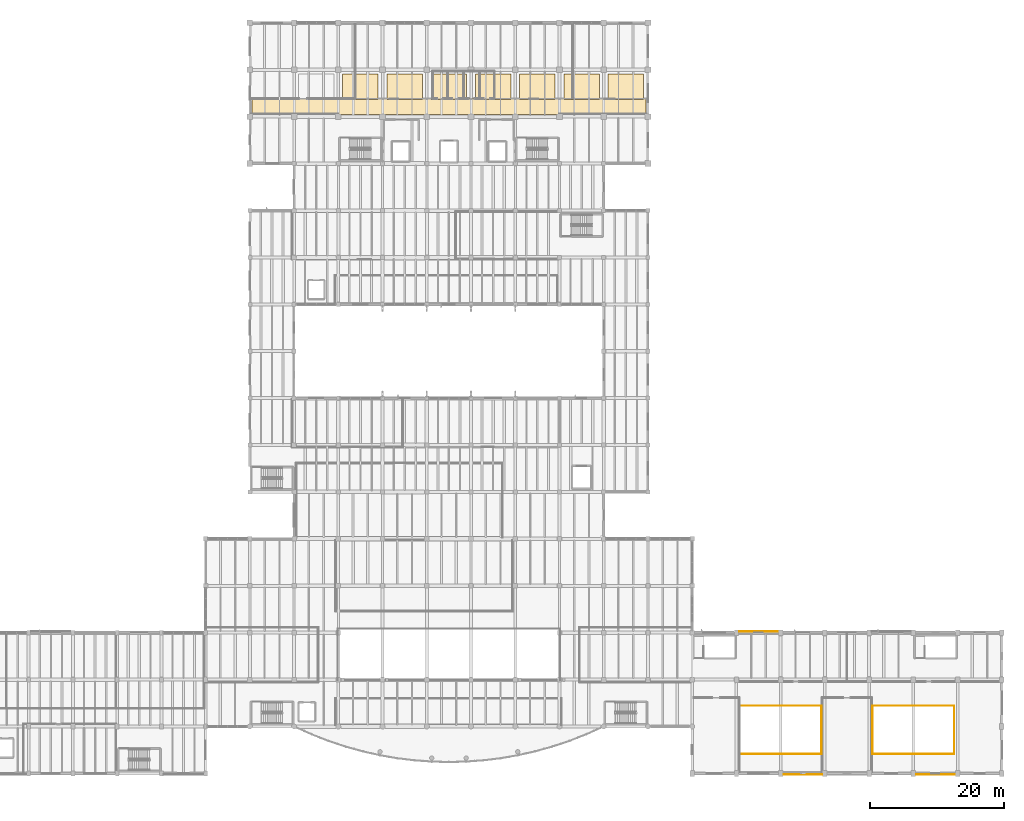
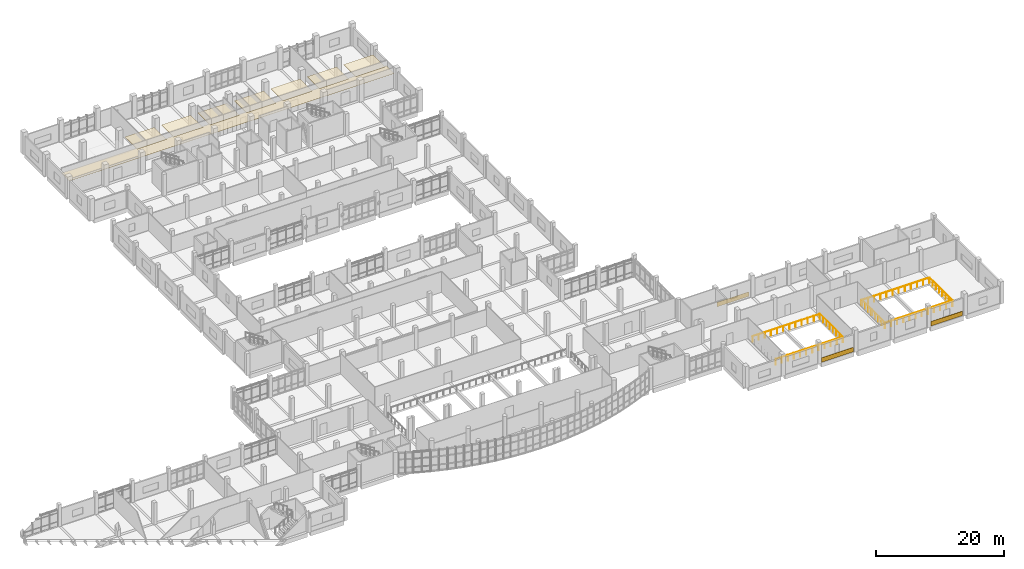
# One storey, part 67 of 68: 11 coverings, 7 railings.
"""IFC4 building model written with IfcOpenShell, lengths in metres."""

from ifc_helpers import new_model, si_unit, direction, frame, origin, origin_2d, place, context, subcontext, project, spatial, polyline, rectangle, circle, outline, extrude, material, layer, layer_set, type_object, element, save


model = new_model("IFC4")

# Units and contexts
model_context = context("Model", 3, precision=1e-05, world=origin(), true_north=direction((0.0, 1.0)))
body_context = subcontext(model_context, "Body", "Model", "MODEL_VIEW")
ifc_project = project(units=[si_unit("LENGTHUNIT", "METRE"), si_unit("AREAUNIT", "SQUARE_METRE"), si_unit("VOLUMEUNIT", "CUBIC_METRE"), si_unit("PLANEANGLEUNIT", "RADIAN"), si_unit("MASSUNIT", "GRAM", prefix="KILO")], contexts=[model_context])

# Site, building, storey
site_placement = place(None, origin())
site = spatial("IfcSite", under=ifc_project, at=site_placement, CompositionType="ELEMENT")
building_placement = place(site_placement, origin())
building = spatial("IfcBuilding", under=site, at=building_placement, Name="Ciguamira Faculty of Natural Sciences", CompositionType="ELEMENT")
storey_placement = place(building_placement, frame((0.0, 0.0, 4.199951171875)))
storey = spatial("IfcBuildingStorey", under=building, at=storey_placement, Name="L01", CompositionType="ELEMENT", Elevation=4.199951171875)

# Coverings
ifc_material_1 = material(Name="Perforated white acoustic ceiling")
ifc_layer_1 = layer(ifc_material_1, 0.0400390625, Name="Perforated white acoustic ceiling")
ifc_layer_set_1 = layer_set([ifc_layer_1], Name="Perforated white acoustic ceiling")
covering_type_1 = type_object("IfcCoveringType", Name="AcousticCeiling_AC01", PredefinedType="CEILING", material=ifc_layer_set_1)
covering_1_placement = place(storey_placement, frame((0.0, 0.0, 2.760009765625)))
element("IfcCovering", 1, at=covering_1_placement, inside=storey, type_object=covering_type_1, Name="L01 corridor acoustic ceiling", PredefinedType="CEILING", context=body_context, shape_type="SweptSolid", body=[
    extrude(outline(polyline([(57.60009765625, 101.300048828125), (116.39990234375, 101.300048828125), (116.39990234375, 103.800048828125), (57.60009765625, 103.800048828125), (57.60009765625, 101.300048828125)])), origin(), (0.0, 0.0, 1.0), 0.0400390625),
])
covering_2_placement = place(storey_placement, frame((0.0, 0.0, 2.760009765625)))
element("IfcCovering", 2, at=covering_2_placement, inside=storey, type_object=covering_type_1, Name="L01 research bay 02 acoustic ceiling", PredefinedType="CEILING", context=body_context, shape_type="SweptSolid", body=[
    extrude(outline(polyline([(71.14990234375, 103.550048828125), (76.449951171875, 103.550048828125), (76.449951171875, 107.35009765625), (71.14990234375, 107.35009765625), (71.14990234375, 103.550048828125)])), origin(), (0.0, 0.0, 1.0), 0.0400390625),
])
covering_3_placement = place(storey_placement, frame((0.0, 0.0, 2.760009765625)))
element("IfcCovering", 3, at=covering_3_placement, inside=storey, type_object=covering_type_1, Name="L01 research bay 03 acoustic ceiling", PredefinedType="CEILING", context=body_context, shape_type="SweptSolid", body=[
    extrude(outline(polyline([(77.75, 103.550048828125), (83.050048828125, 103.550048828125), (83.050048828125, 107.35009765625), (77.75, 107.35009765625), (77.75, 103.550048828125)])), origin(), (0.0, 0.0, 1.0), 0.0400390625),
])
covering_4_placement = place(storey_placement, frame((0.0, 0.0, 2.760009765625)))
element("IfcCovering", 4, at=covering_4_placement, inside=storey, type_object=covering_type_1, Name="L01 research bay 04 acoustic ceiling", PredefinedType="CEILING", context=body_context, shape_type="SweptSolid", body=[
    extrude(outline(polyline([(84.35009765625, 103.550048828125), (89.64990234375, 103.550048828125), (89.64990234375, 107.35009765625), (84.35009765625, 107.35009765625), (84.35009765625, 103.550048828125)])), origin(), (0.0, 0.0, 1.0), 0.0400390625),
])
covering_5_placement = place(storey_placement, frame((0.0, 0.0, 2.760009765625)))
element("IfcCovering", 5, at=covering_5_placement, inside=storey, type_object=covering_type_1, Name="L01 research bay 05 acoustic ceiling", PredefinedType="CEILING", context=body_context, shape_type="SweptSolid", body=[
    extrude(outline(polyline([(90.949951171875, 103.550048828125), (96.25, 103.550048828125), (96.25, 107.35009765625), (90.949951171875, 107.35009765625), (90.949951171875, 103.550048828125)])), origin(), (0.0, 0.0, 1.0), 0.0400390625),
])
covering_6_placement = place(storey_placement, frame((0.0, 0.0, 2.760009765625)))
element("IfcCovering", 6, at=covering_6_placement, inside=storey, type_object=covering_type_1, Name="L01 research bay 06 acoustic ceiling", PredefinedType="CEILING", context=body_context, shape_type="SweptSolid", body=[
    extrude(outline(polyline([(97.550048828125, 103.550048828125), (102.85009765625, 103.550048828125), (102.85009765625, 107.35009765625), (97.550048828125, 107.35009765625), (97.550048828125, 103.550048828125)])), origin(), (0.0, 0.0, 1.0), 0.0400390625),
])
covering_7_placement = place(storey_placement, frame((0.0, 0.0, 2.760009765625)))
element("IfcCovering", 7, at=covering_7_placement, inside=storey, type_object=covering_type_1, Name="L01 research bay 07 acoustic ceiling", PredefinedType="CEILING", context=body_context, shape_type="SweptSolid", body=[
    extrude(outline(polyline([(104.14990234375, 103.550048828125), (109.449951171875, 103.550048828125), (109.449951171875, 107.35009765625), (104.14990234375, 107.35009765625), (104.14990234375, 103.550048828125)])), origin(), (0.0, 0.0, 1.0), 0.0400390625),
])
covering_8_placement = place(storey_placement, frame((0.0, 0.0, 2.760009765625)))
element("IfcCovering", 8, at=covering_8_placement, inside=storey, type_object=covering_type_1, Name="L01 research bay 08 acoustic ceiling", PredefinedType="CEILING", context=body_context, shape_type="SweptSolid", body=[
    extrude(outline(polyline([(110.75, 103.550048828125), (116.050048828125, 103.550048828125), (116.050048828125, 107.35009765625), (110.75, 107.35009765625), (110.75, 103.550048828125)])), origin(), (0.0, 0.0, 1.0), 0.0400390625),
])
ifc_material_2 = material(Name="Precast concrete C40/50", Category="concrete")
ifc_layer_2 = layer(ifc_material_2, 0.050048828125, Name="Precast concrete C40/50")
ifc_layer_set_2 = layer_set([ifc_layer_2], Name="Precast concrete C40/50")
covering_type_2 = type_object("IfcCoveringType", Name="Cladding_CL01", PredefinedType="CLADDING", material=ifc_layer_set_2)
for number, where, z_axis, x_axis, name in (
    (9, (139.800048828125, 2.8359375, 0.02490234375), (0.0, 0.0, 1.0), (1.0, 0.0, 0.0), "L01 precast concrete spandrel cladding 010"),
    (10, (159.60009765625, 2.8359375, 0.02490234375), (0.0, 0.0, 1.0), (1.0, 0.0, 0.0), "L01 precast concrete spandrel cladding 011"),
    (11, (133.199951171875, 24.1640625, 0.02490234375), (0.0, 0.0, 1.0), (1.0, 0.0, 0.0), "L01 precast concrete spandrel cladding 013"),
):
    element("IfcCovering", number, at=place(storey_placement, frame(where, z_axis=z_axis, x_axis=x_axis)), inside=storey, type_object=covering_type_2, Name=name, PredefinedType="CLADDING", context=body_context, shape_type="SweptSolid", body=[
        extrude(rectangle(XDim=5.75, YDim=0.050048828125, at=origin_2d()), origin(), (0.0, 0.0, 1.0), 0.85009765625),
    ])

# Railings
ifc_material_3 = material(Name="Stainless steel balustrade", Category="steel")
railing_type = type_object("IfcRailingType", Name="Guardrail_GR01", PredefinedType="GUARDRAIL", material=ifc_material_3)
for number, where, name in (
    (12, (130.39990234375, 5.89990234375, 0.0), "L01 lecture hall W balcony void guardrail S"),
    (13, (130.39990234375, 13.10009765625, 0.0), "L01 lecture hall W balcony void guardrail N"),
):
    element("IfcRailing", number, at=place(storey_placement, frame(where)), inside=storey, type_object=railing_type, Name=name, PredefinedType="GUARDRAIL", context=body_context, shape_type="SweptSolid", body=[
        extrude(circle(Radius=0.02392578125, at=origin_2d()), frame((0.0, 0.0, 1.076171875), z_axis=(1.0, 0.0, 0.0), x_axis=(0.0, 1.0, 0.0)), (0.0, 0.0, 1.0), 12.2001953125),
        extrude(circle(Radius=0.02099609375, at=origin_2d()), origin(), (0.0, 0.0, 1.0), 1.052001953125),
        extrude(circle(Radius=0.02099609375, at=origin_2d()), frame((1.109130859375, 0.0, 0.0)), (0.0, 0.0, 1.0), 1.052001953125),
        extrude(circle(Radius=0.02099609375, at=origin_2d()), frame((2.21826171875, 0.0, 0.0)), (0.0, 0.0, 1.0), 1.052001953125),
        extrude(circle(Radius=0.02099609375, at=origin_2d()), frame((3.327392578125, 0.0, 0.0)), (0.0, 0.0, 1.0), 1.052001953125),
        extrude(circle(Radius=0.02099609375, at=origin_2d()), frame((4.4365234375, 0.0, 0.0)), (0.0, 0.0, 1.0), 1.052001953125),
        extrude(circle(Radius=0.02099609375, at=origin_2d()), frame((5.545654296875, 0.0, 0.0)), (0.0, 0.0, 1.0), 1.052001953125),
        extrude(circle(Radius=0.02099609375, at=origin_2d()), frame((6.654541015625, 0.0, 0.0)), (0.0, 0.0, 1.0), 1.052001953125),
        extrude(circle(Radius=0.02099609375, at=origin_2d()), frame((7.763671875, 0.0, 0.0)), (0.0, 0.0, 1.0), 1.052001953125),
        extrude(circle(Radius=0.02099609375, at=origin_2d()), frame((8.872802734375, 0.0, 0.0)), (0.0, 0.0, 1.0), 1.052001953125),
        extrude(circle(Radius=0.02099609375, at=origin_2d()), frame((9.98193359375, 0.0, 0.0)), (0.0, 0.0, 1.0), 1.052001953125),
        extrude(circle(Radius=0.02099609375, at=origin_2d()), frame((11.091064453125, 0.0, 0.0)), (0.0, 0.0, 1.0), 1.052001953125),
        extrude(circle(Radius=0.02099609375, at=origin_2d()), frame((12.2001953125, 0.0, 0.0)), (0.0, 0.0, 1.0), 1.052001953125),
    ])
railing_placement = place(storey_placement, frame((142.60009765625, 5.89990234375, 0.0)))
element("IfcRailing", 14, at=railing_placement, inside=storey, type_object=railing_type, Name="L01 lecture hall W balcony void guardrail E", PredefinedType="GUARDRAIL", context=body_context, shape_type="SweptSolid", body=[
    extrude(circle(Radius=0.02392578125, at=origin_2d()), frame((0.0, 0.0, 1.076171875), z_axis=(0.0, 1.0, 0.0), x_axis=(-1.0, 0.0, 0.0)), (0.0, 0.0, 1.0), 7.2001953125),
    extrude(circle(Radius=0.02099609375, at=origin_2d()), origin(), (0.0, 0.0, 1.0), 1.052001953125),
    extrude(circle(Radius=0.02099609375, at=origin_2d()), frame((0.0, 1.028564453125, 0.0)), (0.0, 0.0, 1.0), 1.052001953125),
    extrude(circle(Radius=0.02099609375, at=origin_2d()), frame((0.0, 2.05712890625, 0.0)), (0.0, 0.0, 1.0), 1.052001953125),
    extrude(circle(Radius=0.02099609375, at=origin_2d()), frame((0.0, 3.085693359375, 0.0)), (0.0, 0.0, 1.0), 1.052001953125),
    extrude(circle(Radius=0.02099609375, at=origin_2d()), frame((0.0, 4.114501953125, 0.0)), (0.0, 0.0, 1.0), 1.052001953125),
    extrude(circle(Radius=0.02099609375, at=origin_2d()), frame((0.0, 5.14306640625, 0.0)), (0.0, 0.0, 1.0), 1.052001953125),
    extrude(circle(Radius=0.02099609375, at=origin_2d()), frame((0.0, 6.171630859375, 0.0)), (0.0, 0.0, 1.0), 1.052001953125),
    extrude(circle(Radius=0.02099609375, at=origin_2d()), frame((0.0, 7.2001953125, 0.0)), (0.0, 0.0, 1.0), 1.052001953125),
])
for number, where, name in (
    (15, (150.199951171875, 5.89990234375, 0.0), "L01 lecture hall E balcony void guardrail S"),
    (16, (150.199951171875, 13.10009765625, 0.0), "L01 lecture hall E balcony void guardrail N"),
):
    element("IfcRailing", number, at=place(storey_placement, frame(where)), inside=storey, type_object=railing_type, Name=name, PredefinedType="GUARDRAIL", context=body_context, shape_type="SweptSolid", body=[
        extrude(circle(Radius=0.02392578125, at=origin_2d()), frame((0.0, 0.0, 1.076171875), z_axis=(1.0, 0.0, 0.0), x_axis=(0.0, 1.0, 0.0)), (0.0, 0.0, 1.0), 12.199951171875),
        extrude(circle(Radius=0.02099609375, at=origin_2d()), origin(), (0.0, 0.0, 1.0), 1.052001953125),
        extrude(circle(Radius=0.02099609375, at=origin_2d()), frame((1.109130859375, 0.0, 0.0)), (0.0, 0.0, 1.0), 1.052001953125),
        extrude(circle(Radius=0.02099609375, at=origin_2d()), frame((2.21826171875, 0.0, 0.0)), (0.0, 0.0, 1.0), 1.052001953125),
        extrude(circle(Radius=0.02099609375, at=origin_2d()), frame((3.3271484375, 0.0, 0.0)), (0.0, 0.0, 1.0), 1.052001953125),
        extrude(circle(Radius=0.02099609375, at=origin_2d()), frame((4.436279296875, 0.0, 0.0)), (0.0, 0.0, 1.0), 1.052001953125),
        extrude(circle(Radius=0.02099609375, at=origin_2d()), frame((5.54541015625, 0.0, 0.0)), (0.0, 0.0, 1.0), 1.052001953125),
        extrude(circle(Radius=0.02099609375, at=origin_2d()), frame((6.654541015625, 0.0, 0.0)), (0.0, 0.0, 1.0), 1.052001953125),
        extrude(circle(Radius=0.02099609375, at=origin_2d()), frame((7.763671875, 0.0, 0.0)), (0.0, 0.0, 1.0), 1.052001953125),
        extrude(circle(Radius=0.02099609375, at=origin_2d()), frame((8.872802734375, 0.0, 0.0)), (0.0, 0.0, 1.0), 1.052001953125),
        extrude(circle(Radius=0.02099609375, at=origin_2d()), frame((9.981689453125, 0.0, 0.0)), (0.0, 0.0, 1.0), 1.052001953125),
        extrude(circle(Radius=0.02099609375, at=origin_2d()), frame((11.0908203125, 0.0, 0.0)), (0.0, 0.0, 1.0), 1.052001953125),
        extrude(circle(Radius=0.02099609375, at=origin_2d()), frame((12.199951171875, 0.0, 0.0)), (0.0, 0.0, 1.0), 1.052001953125),
    ])
for number, where, name in (
    (17, (150.199951171875, 5.89990234375, 0.0), "L01 lecture hall E balcony void guardrail W"),
    (18, (162.39990234375, 5.89990234375, 0.0), "L01 lecture hall E balcony void guardrail E"),
):
    element("IfcRailing", number, at=place(storey_placement, frame(where)), inside=storey, type_object=railing_type, Name=name, PredefinedType="GUARDRAIL", context=body_context, shape_type="SweptSolid", body=[
        extrude(circle(Radius=0.02392578125, at=origin_2d()), frame((0.0, 0.0, 1.076171875), z_axis=(0.0, 1.0, 0.0), x_axis=(-1.0, 0.0, 0.0)), (0.0, 0.0, 1.0), 7.2001953125),
        extrude(circle(Radius=0.02099609375, at=origin_2d()), origin(), (0.0, 0.0, 1.0), 1.052001953125),
        extrude(circle(Radius=0.02099609375, at=origin_2d()), frame((0.0, 1.028564453125, 0.0)), (0.0, 0.0, 1.0), 1.052001953125),
        extrude(circle(Radius=0.02099609375, at=origin_2d()), frame((0.0, 2.05712890625, 0.0)), (0.0, 0.0, 1.0), 1.052001953125),
        extrude(circle(Radius=0.02099609375, at=origin_2d()), frame((0.0, 3.085693359375, 0.0)), (0.0, 0.0, 1.0), 1.052001953125),
        extrude(circle(Radius=0.02099609375, at=origin_2d()), frame((0.0, 4.114501953125, 0.0)), (0.0, 0.0, 1.0), 1.052001953125),
        extrude(circle(Radius=0.02099609375, at=origin_2d()), frame((0.0, 5.14306640625, 0.0)), (0.0, 0.0, 1.0), 1.052001953125),
        extrude(circle(Radius=0.02099609375, at=origin_2d()), frame((0.0, 6.171630859375, 0.0)), (0.0, 0.0, 1.0), 1.052001953125),
        extrude(circle(Radius=0.02099609375, at=origin_2d()), frame((0.0, 7.2001953125, 0.0)), (0.0, 0.0, 1.0), 1.052001953125),
    ])

save(model, "model.ifc")
